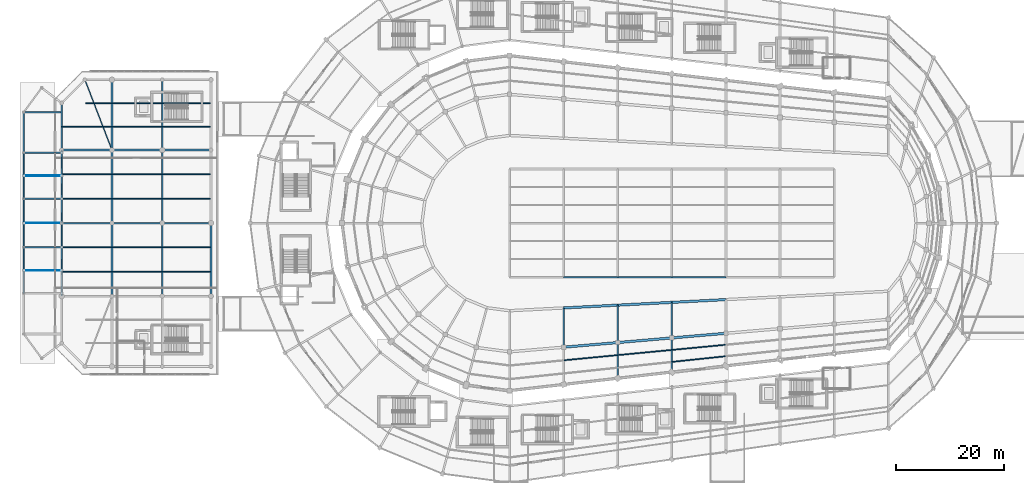
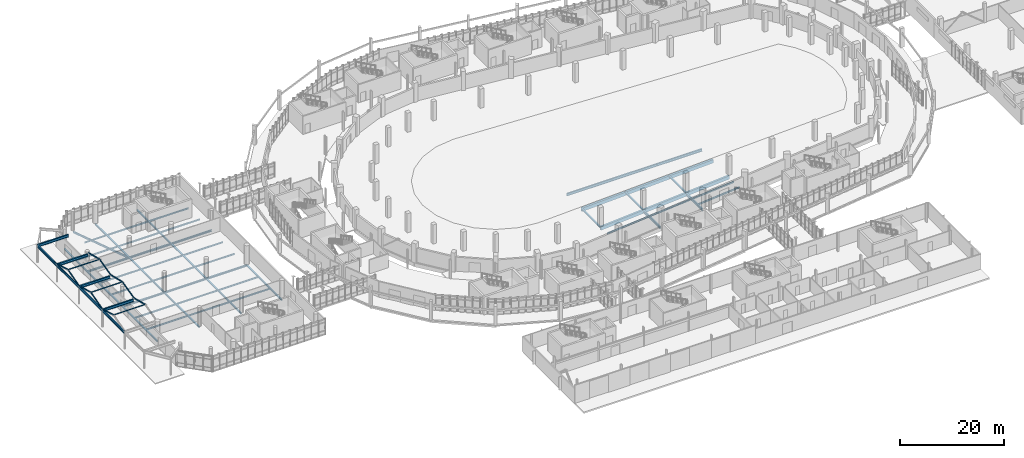
# One storey, part 46 of 122: 61 beams, 13 members.
"""IFC4 building model written with IfcOpenShell, lengths in metres."""

from ifc_helpers import new_model, si_unit, direction, frame, origin, origin_2d, place, context, subcontext, project, spatial, rectangle, hollow_rectangle, i_section, extrude, material, material_profile, profile_set, type_object, element, save


model = new_model("IFC4")

# Units and contexts
model_context = context("Model", 3, precision=1e-05, world=origin(), true_north=direction((0.0, 1.0)))
body_context = subcontext(model_context, "Body", "Model", "MODEL_VIEW")
ifc_project = project(units=[si_unit("LENGTHUNIT", "METRE"), si_unit("AREAUNIT", "SQUARE_METRE"), si_unit("VOLUMEUNIT", "CUBIC_METRE"), si_unit("PLANEANGLEUNIT", "RADIAN"), si_unit("MASSUNIT", "GRAM", prefix="KILO")], contexts=[model_context])

# Site, building, storey
site_placement = place(None, origin())
site = spatial("IfcSite", under=ifc_project, at=site_placement, CompositionType="ELEMENT")
building_placement = place(site_placement, origin())
building = spatial("IfcBuilding", under=site, at=building_placement, Name="Sohan Crest Arena", CompositionType="ELEMENT")
storey_placement = place(building_placement, origin())
storey = spatial("IfcBuildingStorey", under=building, at=storey_placement, Name="L00", CompositionType="ELEMENT", Elevation=0.0)

# Beams
ifc_material_1 = material(Name="Steel S355", Category="steel")
ifc_material_profile_1 = material_profile(ifc_material_1, i_section(OverallWidth=0.169921875, OverallDepth=0.360107421875, WebThickness=0.008056640625, FlangeThickness=0.0126953125, at=origin_2d()), Name="IPE 360")
ifc_profile_set_1 = profile_set([ifc_material_profile_1], Name="Steel S355")
beam_type_1 = type_object("IfcBeamType", Name="STR-BM-B02", PredefinedType="JOIST", material=ifc_profile_set_1)
for number, where, z_axis, x_axis, name in (
    (1, (15.31005859375, 69.0, -0.409912109375), (1.0, 0.0, 0.0), (0.0, 1.0, 0.0), "Structural beam J-L00-1946"),
    (2, (15.31005859375, 73.5, -0.409912109375), (1.0, 0.0, 0.0), (0.0, 1.0, 0.0), "Structural beam J-L00-1947"),
    (3, (24.610107421875, 69.0, -0.409912109375), (1.0, 0.0, 0.0), (0.0, 1.0, 0.0), "Structural beam J-L00-1949"),
    (4, (24.610107421875, 73.5, -0.409912109375), (1.0, 0.0, 0.0), (0.0, 1.0, 0.0), "Structural beam J-L00-1950"),
):
    element("IfcBeam", number, at=place(storey_placement, frame(where, z_axis=z_axis, x_axis=x_axis)), inside=storey, type_object=beam_type_1, Name=name, PredefinedType="JOIST", context=body_context, shape_type="SweptSolid", body=[
        extrude(i_section(OverallWidth=0.169921875, OverallDepth=0.360107421875, WebThickness=0.008056640625, FlangeThickness=0.0126953125, at=origin_2d()), origin(), (0.0, 0.0, 1.0), 9.079833984375),
    ])
for number, where, z_axis, x_axis, name in (
    (5, (33.909912109375, 69.0, -0.409912109375), (1.0, 0.0, 0.0), (0.0, 1.0, 0.0), "Structural beam J-L00-1952"),
    (6, (33.909912109375, 73.5, -0.409912109375), (1.0, 0.0, 0.0), (0.0, 1.0, 0.0), "Structural beam J-L00-1953"),
):
    element("IfcBeam", number, at=place(storey_placement, frame(where, z_axis=z_axis, x_axis=x_axis)), inside=storey, type_object=beam_type_1, Name=name, PredefinedType="JOIST", context=body_context, shape_type="SweptSolid", body=[
        extrude(i_section(OverallWidth=0.169921875, OverallDepth=0.360107421875, WebThickness=0.008056640625, FlangeThickness=0.0126953125, at=origin_2d()), origin(), (0.0, 0.0, 1.0), 8.780029296875),
    ])
for number, where, z_axis, x_axis, name in (
    (7, (15.31005859375, 82.5, -0.409912109375), (1.0, 0.0, 0.0), (0.0, 1.0, 0.0), "Structural beam J-L00-1955"),
    (8, (15.31005859375, 87.0, -0.409912109375), (1.0, 0.0, 0.0), (0.0, 1.0, 0.0), "Structural beam J-L00-1956"),
    (9, (24.610107421875, 82.5, -0.409912109375), (1.0, 0.0, 0.0), (0.0, 1.0, 0.0), "Structural beam J-L00-1958"),
    (10, (24.610107421875, 87.0, -0.409912109375), (1.0, 0.0, 0.0), (0.0, 1.0, 0.0), "Structural beam J-L00-1959"),
):
    element("IfcBeam", number, at=place(storey_placement, frame(where, z_axis=z_axis, x_axis=x_axis)), inside=storey, type_object=beam_type_1, Name=name, PredefinedType="JOIST", context=body_context, shape_type="SweptSolid", body=[
        extrude(i_section(OverallWidth=0.169921875, OverallDepth=0.360107421875, WebThickness=0.008056640625, FlangeThickness=0.0126953125, at=origin_2d()), origin(), (0.0, 0.0, 1.0), 9.079833984375),
    ])
for number, where, z_axis, x_axis, name in (
    (11, (33.909912109375, 82.5, -0.409912109375), (1.0, 0.0, 0.0), (0.0, 1.0, 0.0), "Structural beam J-L00-1961"),
    (12, (33.909912109375, 87.0, -0.409912109375), (1.0, 0.0, 0.0), (0.0, 1.0, 0.0), "Structural beam J-L00-1962"),
):
    element("IfcBeam", number, at=place(storey_placement, frame(where, z_axis=z_axis, x_axis=x_axis)), inside=storey, type_object=beam_type_1, Name=name, PredefinedType="JOIST", context=body_context, shape_type="SweptSolid", body=[
        extrude(i_section(OverallWidth=0.169921875, OverallDepth=0.360107421875, WebThickness=0.008056640625, FlangeThickness=0.0126953125, at=origin_2d()), origin(), (0.0, 0.0, 1.0), 8.780029296875),
    ])
beam_1_placement = place(storey_placement, frame((15.31005859375, 95.8330078125, -0.409912109375), z_axis=(1.0, 0.0, 0.0), x_axis=(0.0, 1.0, 0.0)))
element("IfcBeam", 13, at=beam_1_placement, inside=storey, type_object=beam_type_1, Name="Structural beam J-L00-1964", PredefinedType="JOIST", context=body_context, shape_type="SweptSolid", body=[
    extrude(i_section(OverallWidth=0.169921875, OverallDepth=0.360107421875, WebThickness=0.008056640625, FlangeThickness=0.0126953125, at=origin_2d()), origin(), (0.0, 0.0, 1.0), 9.079833984375),
])
beam_2_placement = place(storey_placement, frame((19.610107421875, 100.1669921875, -0.409912109375), z_axis=(1.0, 0.0, 0.0), x_axis=(0.0, 1.0, 0.0)))
element("IfcBeam", 14, at=beam_2_placement, inside=storey, type_object=beam_type_1, Name="Structural beam J-L00-1965", PredefinedType="JOIST", context=body_context, shape_type="SweptSolid", body=[
    extrude(i_section(OverallWidth=0.169921875, OverallDepth=0.360107421875, WebThickness=0.008056640625, FlangeThickness=0.0126953125, at=origin_2d()), origin(), (0.0, 0.0, 1.0), 4.77978515625),
])
for number, where, z_axis, x_axis, name in (
    (15, (24.610107421875, 95.8330078125, -0.409912109375), (1.0, 0.0, 0.0), (0.0, 1.0, 0.0), "Structural beam J-L00-1967"),
    (16, (24.610107421875, 100.1669921875, -0.409912109375), (1.0, 0.0, 0.0), (0.0, 1.0, 0.0), "Structural beam J-L00-1968"),
):
    element("IfcBeam", number, at=place(storey_placement, frame(where, z_axis=z_axis, x_axis=x_axis)), inside=storey, type_object=beam_type_1, Name=name, PredefinedType="JOIST", context=body_context, shape_type="SweptSolid", body=[
        extrude(i_section(OverallWidth=0.169921875, OverallDepth=0.360107421875, WebThickness=0.008056640625, FlangeThickness=0.0126953125, at=origin_2d()), origin(), (0.0, 0.0, 1.0), 9.079833984375),
    ])
for number, where, z_axis, x_axis, name in (
    (17, (33.909912109375, 95.8330078125, -0.409912109375), (1.0, 0.0, 0.0), (0.0, 1.0, 0.0), "Structural beam J-L00-1970"),
    (18, (33.909912109375, 100.1669921875, -0.409912109375), (1.0, 0.0, 0.0), (0.0, 1.0, 0.0), "Structural beam J-L00-1971"),
):
    element("IfcBeam", number, at=place(storey_placement, frame(where, z_axis=z_axis, x_axis=x_axis)), inside=storey, type_object=beam_type_1, Name=name, PredefinedType="JOIST", context=body_context, shape_type="SweptSolid", body=[
        extrude(i_section(OverallWidth=0.169921875, OverallDepth=0.360107421875, WebThickness=0.008056640625, FlangeThickness=0.0126953125, at=origin_2d()), origin(), (0.0, 0.0, 1.0), 8.780029296875),
    ])
ifc_material_profile_2 = material_profile(ifc_material_1, i_section(OverallWidth=0.179931640625, OverallDepth=0.39990234375, WebThickness=0.008544921875, FlangeThickness=0.013427734375, at=origin_2d()), Name="IPE 400")
ifc_profile_set_2 = profile_set([ifc_material_profile_2], Name="Steel S355")
beam_type_2 = type_object("IfcBeamType", Name="STR-BM-B03", PredefinedType="JOIST", material=ifc_profile_set_2)
for number, where, z_axis, x_axis, name in (
    (19, (108.10888671875, 52.64697265625, -0.449951171875), (0.995443739336, 0.095350730547, 0.0), (-0.095350730547, 0.995443739336, 0.0), "Structural beam J-L00-0348"),
    (20, (118.10888671875, 53.60400390625, -0.449951171875), (0.995443739336, 0.095350730547, 0.0), (-0.095350730547, 0.995443739336, 0.0), "Structural beam J-L00-0370"),
):
    element("IfcBeam", number, at=place(storey_placement, frame(where, z_axis=z_axis, x_axis=x_axis)), inside=storey, type_object=beam_type_2, Name=name, PredefinedType="JOIST", context=body_context, shape_type="SweptSolid", body=[
        extrude(i_section(OverallWidth=0.179931640625, OverallDepth=0.39990234375, WebThickness=0.008544921875, FlangeThickness=0.013427734375, at=origin_2d()), origin(), (0.0, 0.0, 1.0), 9.826904296875),
    ])
beam_3_placement = place(storey_placement, frame((128.10888671875, 54.56103515625, -0.449951171875), z_axis=(0.995434302208, 0.095449201085, 0.0), x_axis=(-0.095449201085, 0.995434302208, 0.0)))
element("IfcBeam", 21, at=beam_3_placement, inside=storey, type_object=beam_type_2, Name="Structural beam J-L00-0392", PredefinedType="JOIST", context=body_context, shape_type="SweptSolid", body=[
    extrude(i_section(OverallWidth=0.179931640625, OverallDepth=0.39990234375, WebThickness=0.008544921875, FlangeThickness=0.013427734375, at=origin_2d()), origin(), (0.0, 0.0, 1.0), 9.8271484375),
])
beam_4_placement = place(storey_placement, frame((128.10888671875, 52.343994140625, -0.449951171875), z_axis=(0.994481354784, 0.104913464278, 0.0), x_axis=(-0.104913464278, 0.994481354784, 0.0)))
element("IfcBeam", 22, at=beam_4_placement, inside=storey, type_object=beam_type_2, Name="Structural beam J-L00-0393", PredefinedType="JOIST", context=body_context, shape_type="SweptSolid", body=[
    extrude(i_section(OverallWidth=0.179931640625, OverallDepth=0.39990234375, WebThickness=0.008544921875, FlangeThickness=0.013427734375, at=origin_2d()), origin(), (0.0, 0.0, 1.0), 9.83642578125),
])
ifc_material_profile_3 = material_profile(ifc_material_1, i_section(OverallWidth=0.18994140625, OverallDepth=0.449951171875, WebThickness=0.009521484375, FlangeThickness=0.0146484375, at=origin_2d()), Name="IPE 450")
ifc_profile_set_3 = profile_set([ifc_material_profile_3], Name="Steel S355")
beam_type_3 = type_object("IfcBeamType", Name="STR-BM-B04", PredefinedType="JOIST", material=ifc_profile_set_3)
beam_5_placement = place(storey_placement, frame((19.5390625, 104.39697265625, -0.455078125), z_axis=(0.359050685685, -0.933318062136, 0.0), x_axis=(0.933318062136, 0.359050685685, 0.0)))
element("IfcBeam", 23, at=beam_5_placement, inside=storey, type_object=beam_type_3, Name="Structural beam J-L00-1978", PredefinedType="JOIST", context=body_context, shape_type="SweptSolid", body=[
    extrude(i_section(OverallWidth=0.18994140625, OverallDepth=0.449951171875, WebThickness=0.009521484375, FlangeThickness=0.0146484375, at=origin_2d()), origin(), (0.0, 0.0, 1.0), 13.7080078125),
])
ifc_material_profile_4 = material_profile(ifc_material_1, i_section(OverallWidth=0.219970703125, OverallDepth=0.60009765625, WebThickness=0.011962890625, FlangeThickness=0.01904296875, at=origin_2d()), Name="IPE 600")
ifc_profile_set_4 = profile_set([ifc_material_profile_4], Name="Steel S355")
beam_type_4 = type_object("IfcBeamType", Name="STR-BM-B07", PredefinedType="BEAM", material=ifc_profile_set_4)
beam_6_placement = place(storey_placement, frame((8.199951171875, 65.0, 3.85498046875), z_axis=(0.0, 1.0, 0.0), x_axis=(-1.0, 0.0, 0.0)))
element("IfcBeam", 24, at=beam_6_placement, inside=storey, type_object=beam_type_4, Name="Structural beam CN-L00-2147", PredefinedType="BEAM", context=body_context, shape_type="SweptSolid", body=[
    extrude(i_section(OverallWidth=0.219970703125, OverallDepth=0.60009765625, WebThickness=0.011962890625, FlangeThickness=0.01904296875, at=origin_2d()), origin(), (0.0, 0.0, 1.0), 8.5),
])
beam_7_placement = place(storey_placement, frame((8.199951171875, 73.5, 3.85498046875), z_axis=(0.0, 1.0, 0.0), x_axis=(-1.0, 0.0, 0.0)))
element("IfcBeam", 25, at=beam_7_placement, inside=storey, type_object=beam_type_4, Name="Structural beam CN-L00-2148", PredefinedType="BEAM", context=body_context, shape_type="SweptSolid", body=[
    extrude(i_section(OverallWidth=0.219970703125, OverallDepth=0.60009765625, WebThickness=0.011962890625, FlangeThickness=0.01904296875, at=origin_2d()), origin(), (0.0, 0.0, 1.0), 9.0),
])
beam_8_placement = place(storey_placement, frame((8.199951171875, 82.5, 3.85498046875), z_axis=(0.0, 1.0, 0.0), x_axis=(-1.0, 0.0, 0.0)))
element("IfcBeam", 26, at=beam_8_placement, inside=storey, type_object=beam_type_4, Name="Structural beam CN-L00-2149", PredefinedType="BEAM", context=body_context, shape_type="SweptSolid", body=[
    extrude(i_section(OverallWidth=0.219970703125, OverallDepth=0.60009765625, WebThickness=0.011962890625, FlangeThickness=0.01904296875, at=origin_2d()), origin(), (0.0, 0.0, 1.0), 8.5),
])
beam_9_placement = place(storey_placement, frame((8.199951171875, 91.0, 3.85498046875), z_axis=(0.0, 1.0, 0.0), x_axis=(-1.0, 0.0, 0.0)))
element("IfcBeam", 27, at=beam_9_placement, inside=storey, type_object=beam_type_4, Name="Structural beam CN-L00-2150", PredefinedType="BEAM", context=body_context, shape_type="SweptSolid", body=[
    extrude(i_section(OverallWidth=0.219970703125, OverallDepth=0.60009765625, WebThickness=0.011962890625, FlangeThickness=0.01904296875, at=origin_2d()), origin(), (0.0, 0.0, 1.0), 7.5),
])
ifc_material_profile_5 = material_profile(ifc_material_1, i_section(OverallWidth=0.300048828125, OverallDepth=0.2900390625, WebThickness=0.008544921875, FlangeThickness=0.013916015625, at=origin_2d()), Name="HEA 300")
ifc_profile_set_5 = profile_set([ifc_material_profile_5], Name="Steel S355")
beam_type_5 = type_object("IfcBeamType", Name="STR-BM-B08", PredefinedType="BEAM", material=ifc_profile_set_5)
for number, where, z_axis, x_axis, name in (
    (28, (15.199951171875, 64.5, -0.375), (0.0, 1.0, 0.0), (-1.0, 0.0, 0.0), "Structural beam G-L00-1921"),
    (29, (15.199951171875, 78.0, -0.375), (0.0, 1.0, 0.0), (-1.0, 0.0, 0.0), "Structural beam G-L00-1922"),
):
    element("IfcBeam", number, at=place(storey_placement, frame(where, z_axis=z_axis, x_axis=x_axis)), inside=storey, type_object=beam_type_5, Name=name, PredefinedType="BEAM", context=body_context, shape_type="SweptSolid", body=[
        extrude(i_section(OverallWidth=0.300048828125, OverallDepth=0.2900390625, WebThickness=0.008544921875, FlangeThickness=0.013916015625, at=origin_2d()), origin(), (0.0, 0.0, 1.0), 13.5),
    ])
beam_10_placement = place(storey_placement, frame((15.199951171875, 91.5, -0.375), z_axis=(0.0, 1.0, 0.0), x_axis=(-1.0, 0.0, 0.0)))
element("IfcBeam", 30, at=beam_10_placement, inside=storey, type_object=beam_type_5, Name="Structural beam G-L00-1923", PredefinedType="BEAM", context=body_context, shape_type="SweptSolid", body=[
    extrude(i_section(OverallWidth=0.300048828125, OverallDepth=0.2900390625, WebThickness=0.008544921875, FlangeThickness=0.013916015625, at=origin_2d()), origin(), (0.0, 0.0, 1.0), 8.699951171875),
])
for number, where, z_axis, x_axis, name in (
    (31, (24.5, 64.5, -0.375), (0.0, 1.0, 0.0), (-1.0, 0.0, 0.0), "Structural beam G-L00-1925"),
    (32, (24.5, 78.0, -0.375), (0.0, 1.0, 0.0), (-1.0, 0.0, 0.0), "Structural beam G-L00-1926"),
):
    element("IfcBeam", number, at=place(storey_placement, frame(where, z_axis=z_axis, x_axis=x_axis)), inside=storey, type_object=beam_type_5, Name=name, PredefinedType="BEAM", context=body_context, shape_type="SweptSolid", body=[
        extrude(i_section(OverallWidth=0.300048828125, OverallDepth=0.2900390625, WebThickness=0.008544921875, FlangeThickness=0.013916015625, at=origin_2d()), origin(), (0.0, 0.0, 1.0), 13.5),
    ])
beam_11_placement = place(storey_placement, frame((24.5, 91.5, -0.375), z_axis=(0.0, 1.0, 0.0), x_axis=(-1.0, 0.0, 0.0)))
element("IfcBeam", 33, at=beam_11_placement, inside=storey, type_object=beam_type_5, Name="Structural beam G-L00-1927", PredefinedType="BEAM", context=body_context, shape_type="SweptSolid", body=[
    extrude(i_section(OverallWidth=0.300048828125, OverallDepth=0.2900390625, WebThickness=0.008544921875, FlangeThickness=0.013916015625, at=origin_2d()), origin(), (0.0, 0.0, 1.0), 13.0),
])
for number, where, z_axis, x_axis, name in (
    (34, (33.800048828125, 64.5, -0.375), (0.0, 1.0, 0.0), (-1.0, 0.0, 0.0), "Structural beam G-L00-1929"),
    (35, (33.800048828125, 78.0, -0.375), (0.0, 1.0, 0.0), (-1.0, 0.0, 0.0), "Structural beam G-L00-1930"),
):
    element("IfcBeam", number, at=place(storey_placement, frame(where, z_axis=z_axis, x_axis=x_axis)), inside=storey, type_object=beam_type_5, Name=name, PredefinedType="BEAM", context=body_context, shape_type="SweptSolid", body=[
        extrude(i_section(OverallWidth=0.300048828125, OverallDepth=0.2900390625, WebThickness=0.008544921875, FlangeThickness=0.013916015625, at=origin_2d()), origin(), (0.0, 0.0, 1.0), 13.5),
    ])
beam_12_placement = place(storey_placement, frame((33.800048828125, 91.5, -0.375), z_axis=(0.0, 1.0, 0.0), x_axis=(-1.0, 0.0, 0.0)))
element("IfcBeam", 36, at=beam_12_placement, inside=storey, type_object=beam_type_5, Name="Structural beam G-L00-1931", PredefinedType="BEAM", context=body_context, shape_type="SweptSolid", body=[
    extrude(i_section(OverallWidth=0.300048828125, OverallDepth=0.2900390625, WebThickness=0.008544921875, FlangeThickness=0.013916015625, at=origin_2d()), origin(), (0.0, 0.0, 1.0), 13.0),
])
beam_13_placement = place(storey_placement, frame((42.800048828125, 64.5, -0.375), z_axis=(0.0, 1.0, 0.0), x_axis=(-1.0, 0.0, 0.0)))
element("IfcBeam", 37, at=beam_13_placement, inside=storey, type_object=beam_type_5, Name="Structural beam G-L00-1933", PredefinedType="BEAM", context=body_context, shape_type="SweptSolid", body=[
    extrude(i_section(OverallWidth=0.300048828125, OverallDepth=0.2900390625, WebThickness=0.008544921875, FlangeThickness=0.013916015625, at=origin_2d()), origin(), (0.0, 0.0, 1.0), 13.5),
])
ifc_material_profile_6 = material_profile(ifc_material_1, i_section(OverallWidth=0.300048828125, OverallDepth=0.389892578125, WebThickness=0.010986328125, FlangeThickness=0.01904296875, at=origin_2d()), Name="HEA 400")
ifc_profile_set_6 = profile_set([ifc_material_profile_6], Name="Steel S355")
beam_type_6 = type_object("IfcBeamType", Name="STR-BM-B09", PredefinedType="BEAM", material=ifc_profile_set_6)
for number, where, z_axis, x_axis, name in (
    (38, (15.199951171875, 78.0, -0.425048828125), (1.0, 0.0, 0.0), (0.0, 1.0, 0.0), "Structural beam G-L00-1954"),
    (39, (24.5, 78.0, -0.425048828125), (1.0, 0.0, 0.0), (0.0, 1.0, 0.0), "Structural beam G-L00-1957"),
):
    element("IfcBeam", number, at=place(storey_placement, frame(where, z_axis=z_axis, x_axis=x_axis)), inside=storey, type_object=beam_type_6, Name=name, PredefinedType="BEAM", context=body_context, shape_type="SweptSolid", body=[
        extrude(i_section(OverallWidth=0.300048828125, OverallDepth=0.389892578125, WebThickness=0.010986328125, FlangeThickness=0.01904296875, at=origin_2d()), origin(), (0.0, 0.0, 1.0), 9.300048828125),
    ])
beam_14_placement = place(storey_placement, frame((33.800048828125, 78.0, -0.425048828125), z_axis=(1.0, 0.0, 0.0), x_axis=(0.0, 1.0, 0.0)))
element("IfcBeam", 40, at=beam_14_placement, inside=storey, type_object=beam_type_6, Name="Structural beam G-L00-1960", PredefinedType="BEAM", context=body_context, shape_type="SweptSolid", body=[
    extrude(i_section(OverallWidth=0.300048828125, OverallDepth=0.389892578125, WebThickness=0.010986328125, FlangeThickness=0.01904296875, at=origin_2d()), origin(), (0.0, 0.0, 1.0), 9.0),
])
for number, where, z_axis, x_axis, name in (
    (41, (15.199951171875, 91.5, -0.425048828125), (1.0, 0.0, 0.0), (0.0, 1.0, 0.0), "Structural beam G-L00-1963"),
    (42, (24.5, 91.5, -0.425048828125), (1.0, 0.0, 0.0), (0.0, 1.0, 0.0), "Structural beam G-L00-1966"),
):
    element("IfcBeam", number, at=place(storey_placement, frame(where, z_axis=z_axis, x_axis=x_axis)), inside=storey, type_object=beam_type_6, Name=name, PredefinedType="BEAM", context=body_context, shape_type="SweptSolid", body=[
        extrude(i_section(OverallWidth=0.300048828125, OverallDepth=0.389892578125, WebThickness=0.010986328125, FlangeThickness=0.01904296875, at=origin_2d()), origin(), (0.0, 0.0, 1.0), 9.300048828125),
    ])
beam_15_placement = place(storey_placement, frame((33.800048828125, 91.5, -0.425048828125), z_axis=(1.0, 0.0, 0.0), x_axis=(0.0, 1.0, 0.0)))
element("IfcBeam", 43, at=beam_15_placement, inside=storey, type_object=beam_type_6, Name="Structural beam G-L00-1969", PredefinedType="BEAM", context=body_context, shape_type="SweptSolid", body=[
    extrude(i_section(OverallWidth=0.300048828125, OverallDepth=0.389892578125, WebThickness=0.010986328125, FlangeThickness=0.01904296875, at=origin_2d()), origin(), (0.0, 0.0, 1.0), 9.0),
])
ifc_material_profile_7 = material_profile(ifc_material_1, i_section(OverallWidth=0.300048828125, OverallDepth=0.590087890625, WebThickness=0.012939453125, FlangeThickness=0.02490234375, at=origin_2d()), Name="HEA 600")
ifc_profile_set_7 = profile_set([ifc_material_profile_7], Name="Steel S355")
beam_type_7 = type_object("IfcBeamType", Name="STR-BM-B11", PredefinedType="BEAM", material=ifc_profile_set_7)
beam_16_placement = place(storey_placement, frame((118.0, 55.9140625, -0.544921875), z_axis=(0.0, -1.0, 0.0), x_axis=(1.0, 0.0, 0.0)))
element("IfcBeam", 44, at=beam_16_placement, inside=storey, type_object=beam_type_7, Name="Structural beam G-L00-0369", PredefinedType="BEAM", context=body_context, shape_type="SweptSolid", body=[
    extrude(i_section(OverallWidth=0.300048828125, OverallDepth=0.590087890625, WebThickness=0.012939453125, FlangeThickness=0.02490234375, at=origin_2d()), origin(), (0.0, 0.0, 1.0), 6.628173828125),
])
beam_17_placement = place(storey_placement, frame((128.0, 56.77099609375, -0.544921875), z_axis=(0.0, -1.0, 0.0), x_axis=(1.0, 0.0, 0.0)))
element("IfcBeam", 45, at=beam_17_placement, inside=storey, type_object=beam_type_7, Name="Structural beam G-L00-0391", PredefinedType="BEAM", context=body_context, shape_type="SweptSolid", body=[
    extrude(i_section(OverallWidth=0.300048828125, OverallDepth=0.590087890625, WebThickness=0.012939453125, FlangeThickness=0.02490234375, at=origin_2d()), origin(), (0.0, 0.0, 1.0), 6.342041015625),
])
ifc_material_profile_8 = material_profile(ifc_material_1, i_section(OverallWidth=0.300048828125, OverallDepth=0.300048828125, WebThickness=0.010986328125, FlangeThickness=0.01904296875, at=origin_2d()), Name="HEB 300")
ifc_profile_set_8 = profile_set([ifc_material_profile_8], Name="Steel S355")
beam_type_8 = type_object("IfcBeamType", Name="STR-BM-B12", PredefinedType="BEAM", material=ifc_profile_set_8)
beam_18_placement = place(storey_placement, frame((108.0, 62.31396484375, -0.39990234375), z_axis=(0.0, -1.0, 0.0), x_axis=(1.0, 0.0, 0.0)))
element("IfcBeam", 46, at=beam_18_placement, inside=storey, type_object=beam_type_8, Name="Structural beam G-L00-0344", PredefinedType="BEAM", context=body_context, shape_type="SweptSolid", body=[
    extrude(i_section(OverallWidth=0.300048828125, OverallDepth=0.300048828125, WebThickness=0.010986328125, FlangeThickness=0.01904296875, at=origin_2d()), origin(), (0.0, 0.0, 1.0), 7.257080078125),
])
beam_19_placement = place(storey_placement, frame((118.0, 62.8291015625, -0.39990234375), z_axis=(0.0, -1.0, 0.0), x_axis=(1.0, 0.0, 0.0)))
element("IfcBeam", 47, at=beam_19_placement, inside=storey, type_object=beam_type_8, Name="Structural beam G-L00-0366", PredefinedType="BEAM", context=body_context, shape_type="SweptSolid", body=[
    extrude(i_section(OverallWidth=0.300048828125, OverallDepth=0.300048828125, WebThickness=0.010986328125, FlangeThickness=0.01904296875, at=origin_2d()), origin(), (0.0, 0.0, 1.0), 6.9150390625),
])
beam_20_placement = place(storey_placement, frame((128.0, 63.343017578125, -0.39990234375), z_axis=(0.0, -1.0, 0.0), x_axis=(1.0, 0.0, 0.0)))
element("IfcBeam", 48, at=beam_20_placement, inside=storey, type_object=beam_type_8, Name="Structural beam G-L00-0388", PredefinedType="BEAM", context=body_context, shape_type="SweptSolid", body=[
    extrude(i_section(OverallWidth=0.300048828125, OverallDepth=0.300048828125, WebThickness=0.010986328125, FlangeThickness=0.01904296875, at=origin_2d()), origin(), (0.0, 0.0, 1.0), 6.572021484375),
])
ifc_material_profile_9 = material_profile(ifc_material_1, i_section(OverallWidth=0.300048828125, OverallDepth=0.60009765625, WebThickness=0.015380859375, FlangeThickness=0.030029296875, at=origin_2d()), Name="HEB 600")
ifc_profile_set_9 = profile_set([ifc_material_profile_9], Name="Steel S355")
beam_type_9 = type_object("IfcBeamType", Name="STR-BM-B15", PredefinedType="BEAM", material=ifc_profile_set_9)
for number, where, z_axis, x_axis, name in (
    (49, (108.0, 68.0, -0.60009765625), (1.0, 0.0, 0.0), (0.0, 1.0, 0.0), "Structural beam G-L00-0016"),
    (50, (118.0, 68.0, -0.60009765625), (1.0, 0.0, 0.0), (0.0, 1.0, 0.0), "Structural beam G-L00-0017"),
    (51, (128.0, 68.0, -0.60009765625), (1.0, 0.0, 0.0), (0.0, 1.0, 0.0), "Structural beam G-L00-0018"),
):
    element("IfcBeam", number, at=place(storey_placement, frame(where, z_axis=z_axis, x_axis=x_axis)), inside=storey, type_object=beam_type_9, Name=name, PredefinedType="BEAM", context=body_context, shape_type="SweptSolid", body=[
        extrude(i_section(OverallWidth=0.300048828125, OverallDepth=0.60009765625, WebThickness=0.015380859375, FlangeThickness=0.030029296875, at=origin_2d()), origin(), (0.0, 0.0, 1.0), 10.0),
    ])
for number, where, z_axis, x_axis, name in (
    (52, (8.199951171875, 73.5, 3.85498046875), (1.0, 0.0, 0.0), (0.0, 1.0, 0.0), "Structural beam CN-L00-2157"),
    (53, (8.199951171875, 82.5, 3.85498046875), (1.0, 0.0, 0.0), (0.0, 1.0, 0.0), "Structural beam CN-L00-2158"),
    (54, (8.199951171875, 91.0, 3.85498046875), (1.0, 0.0, 0.0), (0.0, 1.0, 0.0), "Structural beam CN-L00-2159"),
    (55, (8.199951171875, 98.5, 3.85498046875), (1.0, 0.0, 0.0), (0.0, 1.0, 0.0), "Structural beam CN-L00-2160"),
):
    element("IfcBeam", number, at=place(storey_placement, frame(where, z_axis=z_axis, x_axis=x_axis)), inside=storey, type_object=beam_type_9, Name=name, PredefinedType="BEAM", context=body_context, shape_type="SweptSolid", body=[
        extrude(i_section(OverallWidth=0.300048828125, OverallDepth=0.60009765625, WebThickness=0.015380859375, FlangeThickness=0.030029296875, at=origin_2d()), origin(), (0.0, 0.0, 1.0), 6.85009765625),
    ])
ifc_material_2 = material(Name="Concrete C40/50", Category="concrete")
ifc_material_profile_10 = material_profile(ifc_material_2, rectangle(XDim=0.449951171875, YDim=0.800048828125, at=origin_2d()), Name="RC-BM 450x800")
ifc_profile_set_10 = profile_set([ifc_material_profile_10], Name="Concrete C40/50")
beam_type_10 = type_object("IfcBeamType", Name="STR-BM-TB02", PredefinedType="BEAM", material=ifc_profile_set_10)
beam_21_placement = place(storey_placement, frame((108.0, 62.31396484375, -0.64990234375), z_axis=(0.998675805692, 0.051445457764, 0.0), x_axis=(-0.051445457764, 0.998675805692, 0.0)))
element("IfcBeam", 56, at=beam_21_placement, inside=storey, type_object=beam_type_10, Name="Structural beam TB-L00-0343", PredefinedType="BEAM", context=body_context, shape_type="SweptSolid", body=[
    extrude(rectangle(XDim=0.449951171875, YDim=0.800048828125, at=origin_2d()), origin(), (0.0, 0.0, 1.0), 10.01318359375),
])
beam_22_placement = place(storey_placement, frame((108.0, 55.056884765625, -0.64990234375), z_axis=(0.996346353353, 0.085404590982, 0.0), x_axis=(-0.085404590982, 0.996346353353, 0.0)))
element("IfcBeam", 57, at=beam_22_placement, inside=storey, type_object=beam_type_10, Name="Structural beam TB-L00-0345", PredefinedType="BEAM", context=body_context, shape_type="SweptSolid", body=[
    extrude(rectangle(XDim=0.449951171875, YDim=0.800048828125, at=origin_2d()), origin(), (0.0, 0.0, 1.0), 10.03662109375),
])
beam_23_placement = place(storey_placement, frame((118.0, 62.8291015625, -0.64990234375), z_axis=(0.998682061673, 0.051323870601, 0.0), x_axis=(-0.051323870601, 0.998682061673, 0.0)))
element("IfcBeam", 58, at=beam_23_placement, inside=storey, type_object=beam_type_10, Name="Structural beam TB-L00-0365", PredefinedType="BEAM", context=body_context, shape_type="SweptSolid", body=[
    extrude(rectangle(XDim=0.449951171875, YDim=0.800048828125, at=origin_2d()), origin(), (0.0, 0.0, 1.0), 10.01318359375),
])
beam_24_placement = place(storey_placement, frame((118.0, 55.9140625, -0.64990234375), z_axis=(0.996348422929, 0.085380443469, 0.0), x_axis=(-0.085380443469, 0.996348422929, 0.0)))
element("IfcBeam", 59, at=beam_24_placement, inside=storey, type_object=beam_type_10, Name="Structural beam TB-L00-0367", PredefinedType="BEAM", context=body_context, shape_type="SweptSolid", body=[
    extrude(rectangle(XDim=0.449951171875, YDim=0.800048828125, at=origin_2d()), origin(), (0.0, 0.0, 1.0), 10.03662109375),
])
beam_25_placement = place(storey_placement, frame((128.0, 63.343017578125, -0.64990234375), z_axis=(0.998682061673, 0.051323870601, 0.0), x_axis=(-0.051323870601, 0.998682061673, 0.0)))
element("IfcBeam", 60, at=beam_25_placement, inside=storey, type_object=beam_type_10, Name="Structural beam TB-L00-0387", PredefinedType="BEAM", context=body_context, shape_type="SweptSolid", body=[
    extrude(rectangle(XDim=0.449951171875, YDim=0.800048828125, at=origin_2d()), origin(), (0.0, 0.0, 1.0), 10.01318359375),
])
beam_26_placement = place(storey_placement, frame((128.0, 56.77099609375, -0.64990234375), z_axis=(0.996340141164, 0.085477032618, 0.0), x_axis=(-0.085477032618, 0.996340141164, 0.0)))
element("IfcBeam", 61, at=beam_26_placement, inside=storey, type_object=beam_type_10, Name="Structural beam TB-L00-0389", PredefinedType="BEAM", context=body_context, shape_type="SweptSolid", body=[
    extrude(rectangle(XDim=0.449951171875, YDim=0.800048828125, at=origin_2d()), origin(), (0.0, 0.0, 1.0), 10.03662109375),
])

# Members
ifc_material_profile_11 = material_profile(ifc_material_1, hollow_rectangle(XDim=0.10009765625, YDim=0.199951171875, WallThickness=0.008056640625, at=origin_2d()), Name="RHS 200x100x8")
ifc_profile_set_11 = profile_set([ifc_material_profile_11], Name="Steel S355")
member_type_1 = type_object("IfcMemberType", Name="STR-MEM-CH01", PredefinedType="CHORD", material=ifc_profile_set_11)
for number, where, z_axis, x_axis, name in (
    (62, (8.199951171875, 69.25, 5.35009765625), (1.0, 0.0, 0.0), (0.0, 1.0, 0.0), "Canopy vault ridge chord CVP-1"),
    (63, (8.199951171875, 78.0, 5.35009765625), (1.0, 0.0, 0.0), (0.0, 1.0, 0.0), "Canopy vault ridge chord CVP-2"),
    (64, (8.199951171875, 86.75, 5.35009765625), (1.0, 0.0, 0.0), (0.0, 1.0, 0.0), "Canopy vault ridge chord CVP-3"),
):
    element("IfcMember", number, at=place(storey_placement, frame(where, z_axis=z_axis, x_axis=x_axis)), inside=storey, type_object=member_type_1, Name=name, PredefinedType="CHORD", context=body_context, shape_type="SweptSolid", body=[
        extrude(hollow_rectangle(XDim=0.10009765625, YDim=0.199951171875, WallThickness=0.008056640625, at=origin_2d()), origin(), (0.0, 0.0, 1.0), 7.0),
    ])
ifc_material_profile_12 = material_profile(ifc_material_1, hollow_rectangle(XDim=0.14990234375, YDim=0.25, WallThickness=0.010009765625, at=origin_2d()), Name="RHS 250x150x10")
ifc_profile_set_12 = profile_set([ifc_material_profile_12], Name="Steel S355")
member_type_2 = type_object("IfcMemberType", Name="STR-MEM-CH02", PredefinedType="CHORD", material=ifc_profile_set_12)
member_1_placement = place(storey_placement, frame((8.199951171875, 69.25, 5.35009765625), z_axis=(0.0, 0.961767496363, -0.273867272488), x_axis=(-1.0, 0.0, 0.0)))
element("IfcMember", 65, at=member_1_placement, inside=storey, type_object=member_type_2, Name="Canopy vault arch chord CVA-11B", PredefinedType="CHORD", context=body_context, shape_type="SweptSolid", body=[
    extrude(hollow_rectangle(XDim=0.14990234375, YDim=0.25, WallThickness=0.010009765625, at=origin_2d()), origin(), (0.0, 0.0, 1.0), 4.4189453125),
])
member_2_placement = place(storey_placement, frame((15.199951171875, 69.25, 5.35009765625), z_axis=(0.0, 0.969734810561, -0.244160597121), x_axis=(-1.0, 0.0, 0.0)))
element("IfcMember", 66, at=member_2_placement, inside=storey, type_object=member_type_2, Name="Canopy vault arch chord CVA-12B", PredefinedType="CHORD", context=body_context, shape_type="SweptSolid", body=[
    extrude(hollow_rectangle(XDim=0.14990234375, YDim=0.25, WallThickness=0.010009765625, at=origin_2d()), origin(), (0.0, 0.0, 1.0), 4.382568359375),
])
for number, where, z_axis, x_axis, name in (
    (67, (8.199951171875, 73.5, 4.139892578125), (0.0, 0.965687552767, 0.259706662276), (-1.0, 0.0, 0.0), "Canopy vault arch chord CVA-21A"),
    (68, (8.199951171875, 78.0, 5.35009765625), (0.0, 0.965687552767, -0.259706662276), (-1.0, 0.0, 0.0), "Canopy vault arch chord CVA-21B"),
):
    element("IfcMember", number, at=place(storey_placement, frame(where, z_axis=z_axis, x_axis=x_axis)), inside=storey, type_object=member_type_2, Name=name, PredefinedType="CHORD", context=body_context, shape_type="SweptSolid", body=[
        extrude(hollow_rectangle(XDim=0.14990234375, YDim=0.25, WallThickness=0.010009765625, at=origin_2d()), origin(), (0.0, 0.0, 1.0), 4.659912109375),
    ])
for number, where, z_axis, x_axis, name in (
    (69, (15.199951171875, 73.5, 4.280029296875), (0.0, 0.972872435178, 0.231342224576), (-1.0, 0.0, 0.0), "Canopy vault arch chord CVA-22A"),
    (70, (15.199951171875, 78.0, 5.35009765625), (0.0, 0.972872435178, -0.231342224576), (-1.0, 0.0, 0.0), "Canopy vault arch chord CVA-22B"),
):
    element("IfcMember", number, at=place(storey_placement, frame(where, z_axis=z_axis, x_axis=x_axis)), inside=storey, type_object=member_type_2, Name=name, PredefinedType="CHORD", context=body_context, shape_type="SweptSolid", body=[
        extrude(hollow_rectangle(XDim=0.14990234375, YDim=0.25, WallThickness=0.010009765625, at=origin_2d()), origin(), (0.0, 0.0, 1.0), 4.62548828125),
    ])
for number, where, z_axis, x_axis, name in (
    (71, (8.199951171875, 82.5, 4.139892578125), (0.0, 0.961767496363, 0.273867272488), (-1.0, 0.0, 0.0), "Canopy vault arch chord CVA-31A"),
    (72, (8.199951171875, 86.75, 5.35009765625), (0.0, 0.961767496363, -0.273867272488), (-1.0, 0.0, 0.0), "Canopy vault arch chord CVA-31B"),
):
    element("IfcMember", number, at=place(storey_placement, frame(where, z_axis=z_axis, x_axis=x_axis)), inside=storey, type_object=member_type_2, Name=name, PredefinedType="CHORD", context=body_context, shape_type="SweptSolid", body=[
        extrude(hollow_rectangle(XDim=0.14990234375, YDim=0.25, WallThickness=0.010009765625, at=origin_2d()), origin(), (0.0, 0.0, 1.0), 4.4189453125),
    ])
for number, where, z_axis, x_axis, name in (
    (73, (15.199951171875, 82.5, 4.280029296875), (0.0, 0.969734810561, 0.244160597121), (-1.0, 0.0, 0.0), "Canopy vault arch chord CVA-32A"),
    (74, (15.199951171875, 86.75, 5.35009765625), (0.0, 0.969734810561, -0.244160597121), (-1.0, 0.0, 0.0), "Canopy vault arch chord CVA-32B"),
):
    element("IfcMember", number, at=place(storey_placement, frame(where, z_axis=z_axis, x_axis=x_axis)), inside=storey, type_object=member_type_2, Name=name, PredefinedType="CHORD", context=body_context, shape_type="SweptSolid", body=[
        extrude(hollow_rectangle(XDim=0.14990234375, YDim=0.25, WallThickness=0.010009765625, at=origin_2d()), origin(), (0.0, 0.0, 1.0), 4.382568359375),
    ])

save(model, "model.ifc")
